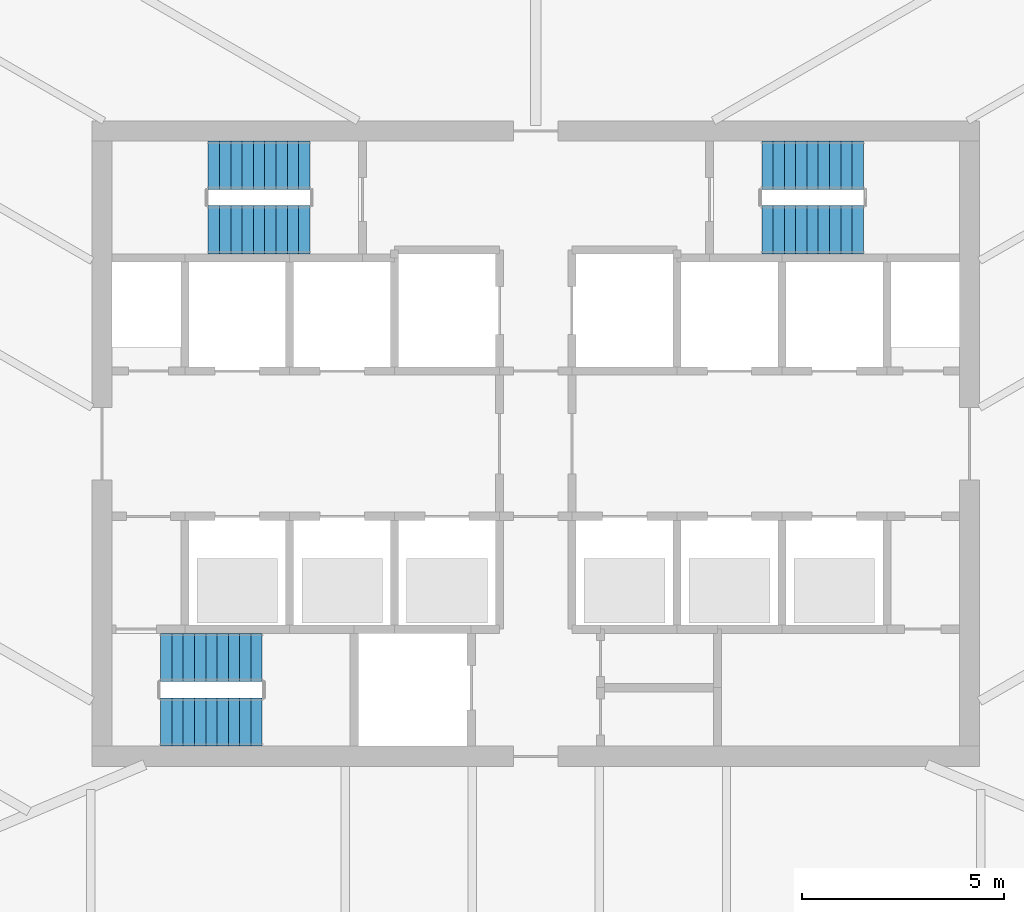
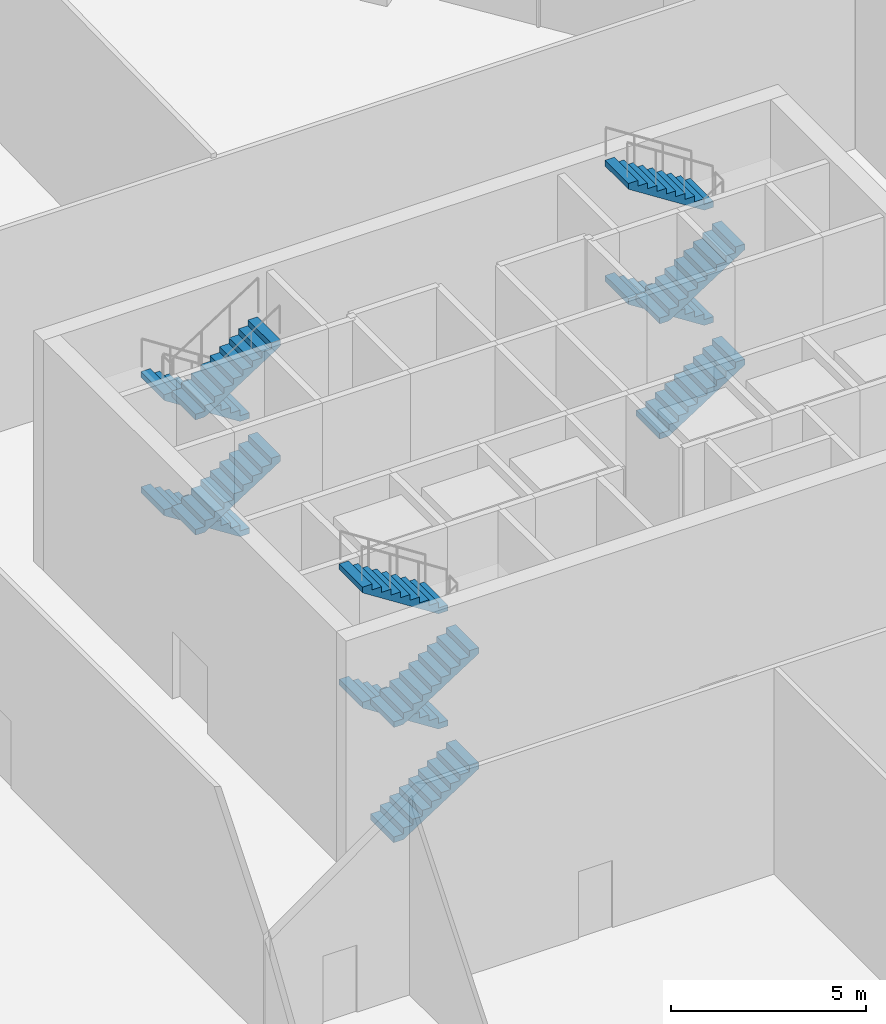
# One storey, part 12 of 15: 12 stair flights, 3 elements without a shape of their own.
"""IFC4 building model written with IfcOpenShell, lengths in metres."""

from ifc_helpers import new_model, si_unit, direction, frame, origin, place, context, subcontext, project, spatial, polyline, outline, extrude, material, type_object, element, aggregate, save


model = new_model("IFC4")

# Units and contexts
model_context = context("Model", 3, precision=1e-05, world=origin(), true_north=direction((0.0, 1.0)))
body_context = subcontext(model_context, "Body", "Model", "MODEL_VIEW")
ifc_project = project(units=[si_unit("LENGTHUNIT", "METRE"), si_unit("AREAUNIT", "SQUARE_METRE"), si_unit("VOLUMEUNIT", "CUBIC_METRE"), si_unit("PLANEANGLEUNIT", "RADIAN"), si_unit("MASSUNIT", "GRAM", prefix="KILO")], contexts=[model_context])

# Site, building, storey
site_placement = place(None, origin())
site = spatial("IfcSite", under=ifc_project, at=site_placement, CompositionType="ELEMENT")
building_placement = place(site_placement, origin())
building = spatial("IfcBuilding", under=site, at=building_placement, Name="Sierra Prisma Convention Tower", CompositionType="ELEMENT")
storey_placement = place(building_placement, frame((0.0, 0.0, 118.60009765625)))
storey = spatial("IfcBuildingStorey", under=building, at=storey_placement, Name="L25", CompositionType="ELEMENT", Elevation=118.60009765625)

# Stair, stair flights
ifc_material_1 = material(Name="Concrete C30/37", Category="concrete")
stair_type = type_object("IfcStairType", Name="Stair dog-leg 1200 RC", PredefinedType="HALF_TURN_STAIR", material=ifc_material_1)
stair_1_placement = place(storey_placement, origin())
stair_1 = element("IfcStair", 1, at=stair_1_placement, inside=storey, type_object=stair_type, Name="L25 S1", PredefinedType="HALF_TURN_STAIR")
ifc_material_2 = material(Name="Concrete C30/37", Category="concrete")
stair_flight_type = type_object("IfcStairFlightType", Name="Stair flight RC 1200", PredefinedType="STRAIGHT", material=ifc_material_2)
stair_flight_1_placement = place(storey_placement, frame((-9.300048828125, -6.89990234375, 0.0), z_axis=(0.0, 0.0, 1.0), x_axis=(1.0, 0.0, 0.0)))
stair_flight_1 = element("IfcStairFlight", 2, at=stair_flight_1_placement, type_object=stair_flight_type, Name="S1 flight 1", NumberOfRisers=10, NumberOfTreads=9, PredefinedType="STRAIGHT", RiserHeight=0.18, TreadLength=0.28, context=body_context, shape_type="SweptSolid", body=[
    extrude(outline(polyline([(0.0, 0.0), (0.0, 0.179931640625), (0.280029296875, 0.179931640625), (0.280029296875, 0.360107421875), (0.56005859375, 0.360107421875), (0.56005859375, 0.5400390625), (0.840087890625, 0.5400390625), (0.840087890625, 0.719970703125), (1.1201171875, 0.719970703125), (1.1201171875, 0.89990234375), (1.39990234375, 0.89990234375), (1.39990234375, 1.080078125), (1.679931640625, 1.080078125), (1.679931640625, 1.260009765625), (1.9599609375, 1.260009765625), (1.9599609375, 1.43994140625), (2.239990234375, 1.43994140625), (2.239990234375, 1.6201171875), (2.52001953125, 1.6201171875), (2.52001953125, 1.800048828125), (2.52001953125, 1.44189453125), (0.277099609375, 0.0), (0.0, 0.0)])), frame((0.0, 0.60009765625, 0.0), z_axis=(0.0, -1.0, 0.0), x_axis=(1.0, 0.0, 0.0)), (0.0, 0.0, 1.0), 1.199951171875),
])
stair_flight_2_placement = place(storey_placement, frame((-6.780029296875, -5.300048828125, 1.7998046875), z_axis=(0.0, 0.0, 1.0), x_axis=(-1.0, 0.0, 0.0)))
stair_flight_2 = element("IfcStairFlight", 3, at=stair_flight_2_placement, type_object=stair_flight_type, Name="S1 flight 2", NumberOfRisers=10, NumberOfTreads=9, PredefinedType="STRAIGHT", RiserHeight=0.18, TreadLength=0.28, context=body_context, shape_type="SweptSolid", body=[
    extrude(outline(polyline([(0.0, 0.0), (0.0, 0.179931640625), (0.280029296875, 0.179931640625), (0.280029296875, 0.360107421875), (0.56005859375, 0.360107421875), (0.56005859375, 0.5400390625), (0.840087890625, 0.5400390625), (0.840087890625, 0.719970703125), (1.1201171875, 0.719970703125), (1.1201171875, 0.89990234375), (1.39990234375, 0.89990234375), (1.39990234375, 1.080078125), (1.679931640625, 1.080078125), (1.679931640625, 1.260009765625), (1.9599609375, 1.260009765625), (1.9599609375, 1.43994140625), (2.239990234375, 1.43994140625), (2.239990234375, 1.6201171875), (2.52001953125, 1.6201171875), (2.52001953125, 1.800048828125), (2.52001953125, 1.44189453125), (0.277099609375, 0.0), (0.0, 0.0)])), frame((0.0, 0.60009765625, 0.0), z_axis=(0.0, -1.0, 0.0), x_axis=(1.0, 0.0, 0.0)), (0.0, 0.0, 1.0), 1.199951171875),
])
stair_flight_3_placement = place(storey_placement, frame((-9.300048828125, -6.89990234375, 3.599853515625), z_axis=(0.0, 0.0, 1.0), x_axis=(1.0, 0.0, 0.0)))
stair_flight_3 = element("IfcStairFlight", 4, at=stair_flight_3_placement, type_object=stair_flight_type, Name="S1 flight 3", NumberOfRisers=10, NumberOfTreads=9, PredefinedType="STRAIGHT", RiserHeight=0.18, TreadLength=0.28, context=body_context, shape_type="SweptSolid", body=[
    extrude(outline(polyline([(0.0, 0.0), (0.0, 0.179931640625), (0.280029296875, 0.179931640625), (0.280029296875, 0.360107421875), (0.56005859375, 0.360107421875), (0.56005859375, 0.5400390625), (0.840087890625, 0.5400390625), (0.840087890625, 0.719970703125), (1.1201171875, 0.719970703125), (1.1201171875, 0.89990234375), (1.39990234375, 0.89990234375), (1.39990234375, 1.080078125), (1.679931640625, 1.080078125), (1.679931640625, 1.260009765625), (1.9599609375, 1.260009765625), (1.9599609375, 1.43994140625), (2.239990234375, 1.43994140625), (2.239990234375, 1.6201171875), (2.52001953125, 1.6201171875), (2.52001953125, 1.800048828125), (2.52001953125, 1.44189453125), (0.277099609375, 0.0), (0.0, 0.0)])), frame((0.0, 0.60009765625, 0.0), z_axis=(0.0, -1.0, 0.0), x_axis=(1.0, 0.0, 0.0)), (0.0, 0.0, 1.0), 1.199951171875),
])
stair_flight_4_placement = place(storey_placement, frame((-6.780029296875, -5.300048828125, 5.39990234375), z_axis=(0.0, 0.0, 1.0), x_axis=(-1.0, 0.0, 0.0)))
stair_flight_4 = element("IfcStairFlight", 5, at=stair_flight_4_placement, type_object=stair_flight_type, Name="S1 flight 4", NumberOfRisers=10, NumberOfTreads=9, PredefinedType="STRAIGHT", RiserHeight=0.18, TreadLength=0.28, context=body_context, shape_type="SweptSolid", body=[
    extrude(outline(polyline([(0.0, 0.0), (0.0, 0.179931640625), (0.280029296875, 0.179931640625), (0.280029296875, 0.360107421875), (0.56005859375, 0.360107421875), (0.56005859375, 0.5400390625), (0.840087890625, 0.5400390625), (0.840087890625, 0.719970703125), (1.1201171875, 0.719970703125), (1.1201171875, 0.89990234375), (1.39990234375, 0.89990234375), (1.39990234375, 1.080078125), (1.679931640625, 1.080078125), (1.679931640625, 1.260009765625), (1.9599609375, 1.260009765625), (1.9599609375, 1.43994140625), (2.239990234375, 1.43994140625), (2.239990234375, 1.6201171875), (2.52001953125, 1.6201171875), (2.52001953125, 1.800048828125), (2.52001953125, 1.44189453125), (0.277099609375, 0.0), (0.0, 0.0)])), frame((0.0, 0.60009765625, 0.0), z_axis=(0.0, -1.0, 0.0), x_axis=(1.0, 0.0, 0.0)), (0.0, 0.0, 1.0), 1.199951171875),
])
aggregate(stair_1, [stair_flight_1, stair_flight_2, stair_flight_3, stair_flight_4])

stair_2_placement = place(storey_placement, origin())
stair_2 = element("IfcStair", 6, at=stair_2_placement, inside=storey, type_object=stair_type, Name="L25 S3", PredefinedType="HALF_TURN_STAIR")
stair_flight_5_placement = place(storey_placement, frame((-5.60009765625, 6.89990234375, 0.0), z_axis=(0.0, 0.0, 1.0), x_axis=(-1.0, 0.0, 0.0)))
stair_flight_5 = element("IfcStairFlight", 7, at=stair_flight_5_placement, type_object=stair_flight_type, Name="S3 flight 1", NumberOfRisers=10, NumberOfTreads=9, PredefinedType="STRAIGHT", RiserHeight=0.18, TreadLength=0.28, context=body_context, shape_type="SweptSolid", body=[
    extrude(outline(polyline([(0.0, 0.0), (0.0, 0.179931640625), (0.280029296875, 0.179931640625), (0.280029296875, 0.360107421875), (0.56005859375, 0.360107421875), (0.56005859375, 0.5400390625), (0.840087890625, 0.5400390625), (0.840087890625, 0.719970703125), (1.1201171875, 0.719970703125), (1.1201171875, 0.89990234375), (1.39990234375, 0.89990234375), (1.39990234375, 1.080078125), (1.679931640625, 1.080078125), (1.679931640625, 1.260009765625), (1.9599609375, 1.260009765625), (1.9599609375, 1.43994140625), (2.239990234375, 1.43994140625), (2.239990234375, 1.6201171875), (2.52001953125, 1.6201171875), (2.52001953125, 1.800048828125), (2.52001953125, 1.44189453125), (0.277099609375, 0.0), (0.0, 0.0)])), frame((0.0, 0.60009765625, 0.0), z_axis=(0.0, -1.0, 0.0), x_axis=(1.0, 0.0, 0.0)), (0.0, 0.0, 1.0), 1.199951171875),
])
stair_flight_6_placement = place(storey_placement, frame((-8.1201171875, 5.300048828125, 1.7998046875), z_axis=(0.0, 0.0, 1.0), x_axis=(1.0, 0.0, 0.0)))
stair_flight_6 = element("IfcStairFlight", 8, at=stair_flight_6_placement, type_object=stair_flight_type, Name="S3 flight 2", NumberOfRisers=10, NumberOfTreads=9, PredefinedType="STRAIGHT", RiserHeight=0.18, TreadLength=0.28, context=body_context, shape_type="SweptSolid", body=[
    extrude(outline(polyline([(0.0, 0.0), (0.0, 0.179931640625), (0.280029296875, 0.179931640625), (0.280029296875, 0.360107421875), (0.56005859375, 0.360107421875), (0.56005859375, 0.5400390625), (0.840087890625, 0.5400390625), (0.840087890625, 0.719970703125), (1.1201171875, 0.719970703125), (1.1201171875, 0.89990234375), (1.39990234375, 0.89990234375), (1.39990234375, 1.080078125), (1.679931640625, 1.080078125), (1.679931640625, 1.260009765625), (1.9599609375, 1.260009765625), (1.9599609375, 1.43994140625), (2.239990234375, 1.43994140625), (2.239990234375, 1.6201171875), (2.52001953125, 1.6201171875), (2.52001953125, 1.800048828125), (2.52001953125, 1.44189453125), (0.277099609375, 0.0), (0.0, 0.0)])), frame((0.0, 0.60009765625, 0.0), z_axis=(0.0, -1.0, 0.0), x_axis=(1.0, 0.0, 0.0)), (0.0, 0.0, 1.0), 1.199951171875),
])
stair_flight_7_placement = place(storey_placement, frame((-5.60009765625, 6.89990234375, 3.599853515625), z_axis=(0.0, 0.0, 1.0), x_axis=(-1.0, 0.0, 0.0)))
stair_flight_7 = element("IfcStairFlight", 9, at=stair_flight_7_placement, type_object=stair_flight_type, Name="S3 flight 3", NumberOfRisers=10, NumberOfTreads=9, PredefinedType="STRAIGHT", RiserHeight=0.18, TreadLength=0.28, context=body_context, shape_type="SweptSolid", body=[
    extrude(outline(polyline([(0.0, 0.0), (0.0, 0.179931640625), (0.280029296875, 0.179931640625), (0.280029296875, 0.360107421875), (0.56005859375, 0.360107421875), (0.56005859375, 0.5400390625), (0.840087890625, 0.5400390625), (0.840087890625, 0.719970703125), (1.1201171875, 0.719970703125), (1.1201171875, 0.89990234375), (1.39990234375, 0.89990234375), (1.39990234375, 1.080078125), (1.679931640625, 1.080078125), (1.679931640625, 1.260009765625), (1.9599609375, 1.260009765625), (1.9599609375, 1.43994140625), (2.239990234375, 1.43994140625), (2.239990234375, 1.6201171875), (2.52001953125, 1.6201171875), (2.52001953125, 1.800048828125), (2.52001953125, 1.44189453125), (0.277099609375, 0.0), (0.0, 0.0)])), frame((0.0, 0.60009765625, 0.0), z_axis=(0.0, -1.0, 0.0), x_axis=(1.0, 0.0, 0.0)), (0.0, 0.0, 1.0), 1.199951171875),
])
stair_flight_8_placement = place(storey_placement, frame((-8.1201171875, 5.300048828125, 5.39990234375), z_axis=(0.0, 0.0, 1.0), x_axis=(1.0, 0.0, 0.0)))
stair_flight_8 = element("IfcStairFlight", 10, at=stair_flight_8_placement, type_object=stair_flight_type, Name="S3 flight 4", NumberOfRisers=10, NumberOfTreads=9, PredefinedType="STRAIGHT", RiserHeight=0.18, TreadLength=0.28, context=body_context, shape_type="SweptSolid", body=[
    extrude(outline(polyline([(0.0, 0.0), (0.0, 0.179931640625), (0.280029296875, 0.179931640625), (0.280029296875, 0.360107421875), (0.56005859375, 0.360107421875), (0.56005859375, 0.5400390625), (0.840087890625, 0.5400390625), (0.840087890625, 0.719970703125), (1.1201171875, 0.719970703125), (1.1201171875, 0.89990234375), (1.39990234375, 0.89990234375), (1.39990234375, 1.080078125), (1.679931640625, 1.080078125), (1.679931640625, 1.260009765625), (1.9599609375, 1.260009765625), (1.9599609375, 1.43994140625), (2.239990234375, 1.43994140625), (2.239990234375, 1.6201171875), (2.52001953125, 1.6201171875), (2.52001953125, 1.800048828125), (2.52001953125, 1.44189453125), (0.277099609375, 0.0), (0.0, 0.0)])), frame((0.0, 0.60009765625, 0.0), z_axis=(0.0, -1.0, 0.0), x_axis=(1.0, 0.0, 0.0)), (0.0, 0.0, 1.0), 1.199951171875),
])
aggregate(stair_2, [stair_flight_5, stair_flight_6, stair_flight_7, stair_flight_8])

stair_3_placement = place(storey_placement, origin())
stair_3 = element("IfcStair", 11, at=stair_3_placement, inside=storey, type_object=stair_type, Name="L25 S4", PredefinedType="HALF_TURN_STAIR")
stair_flight_9_placement = place(storey_placement, frame((5.60009765625, 5.300048828125, 0.0), z_axis=(0.0, 0.0, 1.0), x_axis=(1.0, 0.0, 0.0)))
stair_flight_9 = element("IfcStairFlight", 12, at=stair_flight_9_placement, type_object=stair_flight_type, Name="S4 flight 1", NumberOfRisers=10, NumberOfTreads=9, PredefinedType="STRAIGHT", RiserHeight=0.18, TreadLength=0.28, context=body_context, shape_type="SweptSolid", body=[
    extrude(outline(polyline([(0.0, 0.0), (0.0, 0.179931640625), (0.280029296875, 0.179931640625), (0.280029296875, 0.360107421875), (0.56005859375, 0.360107421875), (0.56005859375, 0.5400390625), (0.840087890625, 0.5400390625), (0.840087890625, 0.719970703125), (1.1201171875, 0.719970703125), (1.1201171875, 0.89990234375), (1.39990234375, 0.89990234375), (1.39990234375, 1.080078125), (1.679931640625, 1.080078125), (1.679931640625, 1.260009765625), (1.9599609375, 1.260009765625), (1.9599609375, 1.43994140625), (2.239990234375, 1.43994140625), (2.239990234375, 1.6201171875), (2.52001953125, 1.6201171875), (2.52001953125, 1.800048828125), (2.52001953125, 1.44189453125), (0.277099609375, 0.0), (0.0, 0.0)])), frame((0.0, 0.60009765625, 0.0), z_axis=(0.0, -1.0, 0.0), x_axis=(1.0, 0.0, 0.0)), (0.0, 0.0, 1.0), 1.199951171875),
])
stair_flight_10_placement = place(storey_placement, frame((8.1201171875, 6.89990234375, 1.7998046875), z_axis=(0.0, 0.0, 1.0), x_axis=(-1.0, 0.0, 0.0)))
stair_flight_10 = element("IfcStairFlight", 13, at=stair_flight_10_placement, type_object=stair_flight_type, Name="S4 flight 2", NumberOfRisers=10, NumberOfTreads=9, PredefinedType="STRAIGHT", RiserHeight=0.18, TreadLength=0.28, context=body_context, shape_type="SweptSolid", body=[
    extrude(outline(polyline([(0.0, 0.0), (0.0, 0.179931640625), (0.280029296875, 0.179931640625), (0.280029296875, 0.360107421875), (0.56005859375, 0.360107421875), (0.56005859375, 0.5400390625), (0.840087890625, 0.5400390625), (0.840087890625, 0.719970703125), (1.1201171875, 0.719970703125), (1.1201171875, 0.89990234375), (1.39990234375, 0.89990234375), (1.39990234375, 1.080078125), (1.679931640625, 1.080078125), (1.679931640625, 1.260009765625), (1.9599609375, 1.260009765625), (1.9599609375, 1.43994140625), (2.239990234375, 1.43994140625), (2.239990234375, 1.6201171875), (2.52001953125, 1.6201171875), (2.52001953125, 1.800048828125), (2.52001953125, 1.44189453125), (0.277099609375, 0.0), (0.0, 0.0)])), frame((0.0, 0.60009765625, 0.0), z_axis=(0.0, -1.0, 0.0), x_axis=(1.0, 0.0, 0.0)), (0.0, 0.0, 1.0), 1.199951171875),
])
stair_flight_11_placement = place(storey_placement, frame((5.60009765625, 5.300048828125, 3.599853515625), z_axis=(0.0, 0.0, 1.0), x_axis=(1.0, 0.0, 0.0)))
stair_flight_11 = element("IfcStairFlight", 14, at=stair_flight_11_placement, type_object=stair_flight_type, Name="S4 flight 3", NumberOfRisers=10, NumberOfTreads=9, PredefinedType="STRAIGHT", RiserHeight=0.18, TreadLength=0.28, context=body_context, shape_type="SweptSolid", body=[
    extrude(outline(polyline([(0.0, 0.0), (0.0, 0.179931640625), (0.280029296875, 0.179931640625), (0.280029296875, 0.360107421875), (0.56005859375, 0.360107421875), (0.56005859375, 0.5400390625), (0.840087890625, 0.5400390625), (0.840087890625, 0.719970703125), (1.1201171875, 0.719970703125), (1.1201171875, 0.89990234375), (1.39990234375, 0.89990234375), (1.39990234375, 1.080078125), (1.679931640625, 1.080078125), (1.679931640625, 1.260009765625), (1.9599609375, 1.260009765625), (1.9599609375, 1.43994140625), (2.239990234375, 1.43994140625), (2.239990234375, 1.6201171875), (2.52001953125, 1.6201171875), (2.52001953125, 1.800048828125), (2.52001953125, 1.44189453125), (0.277099609375, 0.0), (0.0, 0.0)])), frame((0.0, 0.60009765625, 0.0), z_axis=(0.0, -1.0, 0.0), x_axis=(1.0, 0.0, 0.0)), (0.0, 0.0, 1.0), 1.199951171875),
])
stair_flight_12_placement = place(storey_placement, frame((8.1201171875, 6.89990234375, 5.39990234375), z_axis=(0.0, 0.0, 1.0), x_axis=(-1.0, 0.0, 0.0)))
stair_flight_12 = element("IfcStairFlight", 15, at=stair_flight_12_placement, type_object=stair_flight_type, Name="S4 flight 4", NumberOfRisers=10, NumberOfTreads=9, PredefinedType="STRAIGHT", RiserHeight=0.18, TreadLength=0.28, context=body_context, shape_type="SweptSolid", body=[
    extrude(outline(polyline([(0.0, 0.0), (0.0, 0.179931640625), (0.280029296875, 0.179931640625), (0.280029296875, 0.360107421875), (0.56005859375, 0.360107421875), (0.56005859375, 0.5400390625), (0.840087890625, 0.5400390625), (0.840087890625, 0.719970703125), (1.1201171875, 0.719970703125), (1.1201171875, 0.89990234375), (1.39990234375, 0.89990234375), (1.39990234375, 1.080078125), (1.679931640625, 1.080078125), (1.679931640625, 1.260009765625), (1.9599609375, 1.260009765625), (1.9599609375, 1.43994140625), (2.239990234375, 1.43994140625), (2.239990234375, 1.6201171875), (2.52001953125, 1.6201171875), (2.52001953125, 1.800048828125), (2.52001953125, 1.44189453125), (0.277099609375, 0.0), (0.0, 0.0)])), frame((0.0, 0.60009765625, 0.0), z_axis=(0.0, -1.0, 0.0), x_axis=(1.0, 0.0, 0.0)), (0.0, 0.0, 1.0), 1.199951171875),
])
aggregate(stair_3, [stair_flight_9, stair_flight_10, stair_flight_11, stair_flight_12])

save(model, "model.ifc")
